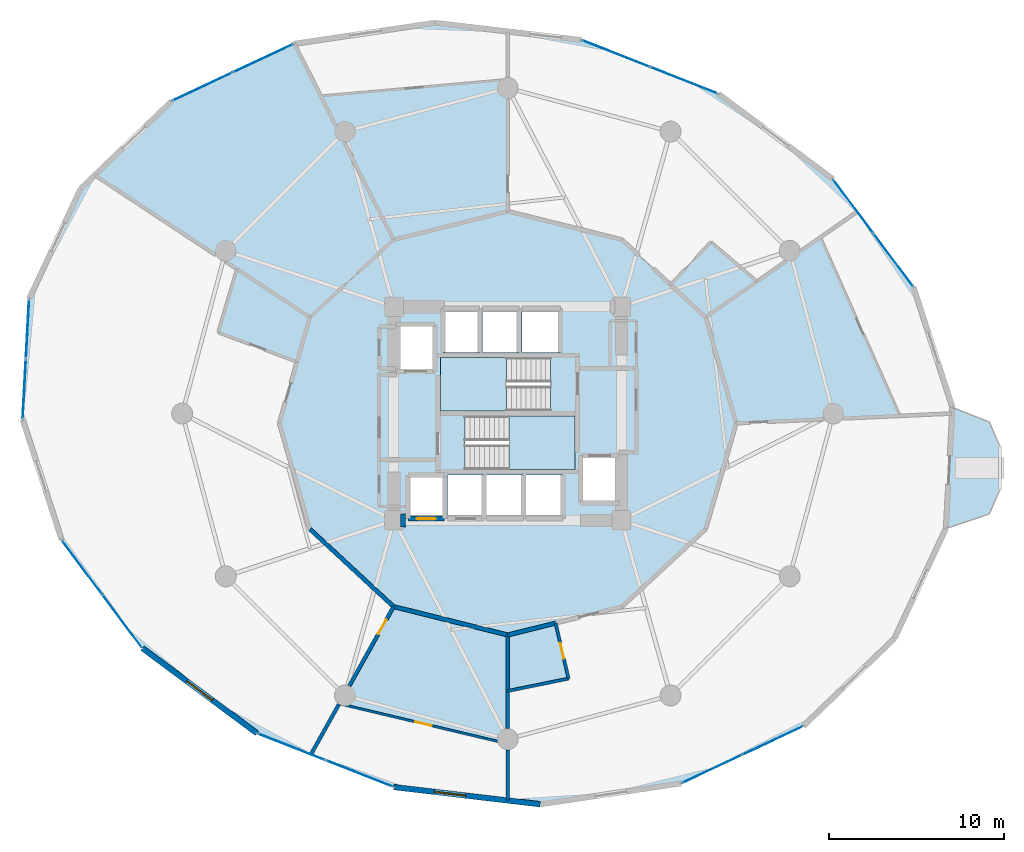
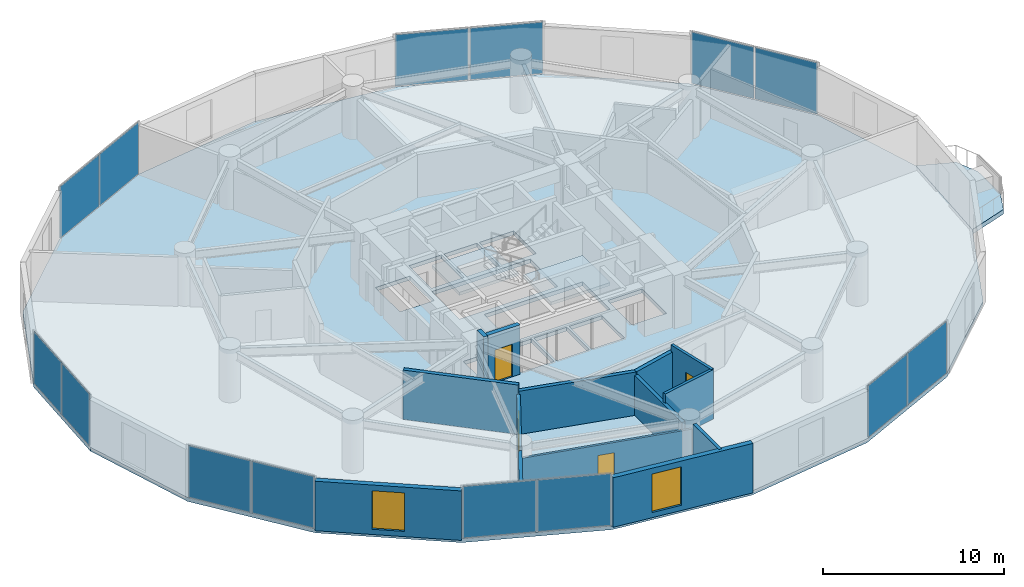
# One storey, part 19 of 25: 14 plates, 14 walls, 4 doors, 4 slabs, 2 windows, 6 openings, 9 elements without a shape of their own.
"""IFC4 building model written with IfcOpenShell, lengths in metres."""

from ifc_helpers import new_model, si_unit, direction, frame, frame_2d, origin, origin_2d, place, context, subcontext, project, spatial, polyline, rectangle, outline, extrude, source, transform, mapped, material, layer, layer_set, type_object, element, fill, aggregate, save


model = new_model("IFC4")

# Units and contexts
model_context = context("Model", 3, precision=1e-05, world=origin(), true_north=direction((0.0, 1.0)))
body_context = subcontext(model_context, "Body", "Model", "MODEL_VIEW")
ifc_project = project(units=[si_unit("LENGTHUNIT", "METRE"), si_unit("AREAUNIT", "SQUARE_METRE"), si_unit("VOLUMEUNIT", "CUBIC_METRE"), si_unit("PLANEANGLEUNIT", "RADIAN"), si_unit("MASSUNIT", "GRAM", prefix="KILO")], contexts=[model_context])

# Site, building, storey
site_placement = place(None, origin())
site = spatial("IfcSite", under=ifc_project, at=site_placement, CompositionType="ELEMENT")
building_placement = place(site_placement, origin())
building = spatial("IfcBuilding", under=site, at=building_placement, Name="Solvirekh Grand Hotel", CompositionType="ELEMENT")
storey_placement = place(building_placement, frame((0.0, 0.0, 57.199951171875)))
storey = spatial("IfcBuildingStorey", under=building, at=storey_placement, Name="L13", CompositionType="ELEMENT", Elevation=57.199951171875)

# Slab
ifc_material_1 = material(Name="Concrete C50/60", Category="concrete")
ifc_layer_1 = layer(ifc_material_1, 0.31005859375)
ifc_layer_set_1 = layer_set([ifc_layer_1], Name="Concrete C50/60")
slab_type_1 = type_object("IfcSlabType", Name="ExtHornSkyGarden_310", PredefinedType="FLOOR", material=ifc_layer_set_1)
slab_1_placement = place(storey_placement, frame((0.0, 0.0, -0.31005859375)))
element("IfcSlab", 1, at=slab_1_placement, inside=storey, type_object=slab_type_1, Name="L13 east horn sky-garden deck", PredefinedType="FLOOR", context=body_context, shape_type="SweptSolid", body=[
    extrude(outline(polyline([(25.410888671875, 0.346923828125), (25.0390625, -6.568115234375), (27.510986328125, -5.738037109375), (28.111083984375, -4.35498046875), (28.111083984375, -1.865966796875), (27.510986328125, -0.48291015625), (25.410888671875, 0.346923828125)])), origin(), (0.0, 0.0, 1.0), 0.31005859375),
])

# Stair, slab
ifc_material_2 = material(Name="Concrete C40/50", Category="concrete")
stair_type = type_object("IfcStairType", Name="Stair_Core_1450", PredefinedType="HALF_TURN_STAIR", material=ifc_material_2)
stair_1_placement = place(storey_placement, origin())
stair_1 = element("IfcStair", 2, at=stair_1_placement, inside=storey, type_object=stair_type, Name="L13 Enclosed exit stair ST-1", PredefinedType="HALF_TURN_STAIR")
ifc_layer_2 = layer(ifc_material_2, 0.199951171875)
ifc_layer_set_2 = layer_set([ifc_layer_2], Name="Concrete C40/50")
slab_type_2 = type_object("IfcSlabType", Name="Landing_Stair_200", PredefinedType="LANDING", material=ifc_layer_set_2)
slab_2_placement = place(storey_placement, frame((0.0, 0.0, 1.60009765625)))
slab_2 = element("IfcSlab", 3, at=slab_2_placement, type_object=slab_type_2, Name="ST-1 landing 1", PredefinedType="LANDING", context=body_context, shape_type="SweptSolid", body=[
    extrude(outline(polyline([(0.070068359375, -3.199951171875), (3.85009765625, -3.199951171875), (3.85009765625, -0.14990234375), (0.070068359375, -0.14990234375), (0.070068359375, -3.199951171875)])), origin(), (0.0, 0.0, 1.0), 0.199951171875),
])
aggregate(stair_1, [slab_2])

stair_2_placement = place(storey_placement, origin())
stair_2 = element("IfcStair", 4, at=stair_2_placement, inside=storey, type_object=stair_type, Name="L13 Enclosed exit stair ST-2", PredefinedType="HALF_TURN_STAIR")
slab_3_placement = place(storey_placement, frame((0.0, 0.0, 1.60009765625)))
slab_3 = element("IfcSlab", 5, at=slab_3_placement, type_object=slab_type_2, Name="ST-2 landing 1", PredefinedType="LANDING", context=body_context, shape_type="SweptSolid", body=[
    extrude(outline(polyline([(-0.070068359375, 3.199951171875), (-3.85009765625, 3.199951171875), (-3.85009765625, 0.14990234375), (-0.070068359375, 0.14990234375), (-0.070068359375, 3.199951171875)])), origin(), (0.0, 0.0, 1.0), 0.199951171875),
])
aggregate(stair_2, [slab_3])

# Slab
ifc_layer_3 = layer(ifc_material_1, 0.260009765625)
ifc_layer_set_3 = layer_set([ifc_layer_3], Name="Concrete C50/60")
slab_type_3 = type_object("IfcSlabType", Name="Slab_GuestZ1_260", PredefinedType="FLOOR", material=ifc_layer_set_3)
slab_4_placement = place(storey_placement, frame((0.0, 0.0, -0.260009765625)))
element("IfcSlab", 6, at=slab_4_placement, inside=storey, type_object=slab_type_3, Name="L13 structural floor slab", PredefinedType="FLOOR", context=body_context, shape_type="SweptSolid", body=[
    extrude(outline(polyline([(25.0390625, -6.568115234375), (25.410888671875, 0.346923828125), (23.18310546875, 7.22900390625), (18.572998046875, 13.403076171875), (12.032958984375, 18.264892578125), (4.201904296875, 21.339111328125), (-4.153076171875, 22.323974609375), (-12.212890625, 21.125), (-19.19091796875, 17.85693359375), (-24.403076171875, 12.841064453125), (-27.339111328125, 6.568115234375), (-27.7109375, -0.346923828125), (-25.48291015625, -7.22900390625), (-20.873046875, -13.403076171875), (-14.3330078125, -18.264892578125), (-6.501953125, -21.339111328125), (1.85302734375, -22.323974609375), (9.9130859375, -21.125), (16.89111328125, -17.85693359375), (22.10302734375, -12.841064453125), (25.0390625, -6.568115234375)]), holes=[polyline([(-2.444091796875, -0.14990234375), (3.85009765625, -0.14990234375), (3.85009765625, -3.199951171875), (-2.444091796875, -3.199951171875), (-2.444091796875, -0.14990234375)]), polyline([(2.444091796875, 0.14990234375), (-3.85009765625, 0.14990234375), (-3.85009765625, 3.199951171875), (2.444091796875, 3.199951171875), (2.444091796875, 0.14990234375)]), polyline([(-5.699951171875, -3.5), (-3.60009765625, -3.5), (-3.60009765625, -6.0), (-5.699951171875, -6.0), (-5.699951171875, -3.5)]), polyline([(-3.449951171875, -3.5), (-1.35009765625, -3.5), (-1.35009765625, -6.0), (-3.449951171875, -6.0), (-3.449951171875, -3.5)]), polyline([(-1.199951171875, -3.5), (0.89990234375, -3.5), (0.89990234375, -6.0), (-1.199951171875, -6.0), (-1.199951171875, -3.5)]), polyline([(1.050048828125, -3.5), (3.14990234375, -3.5), (3.14990234375, -6.0), (1.050048828125, -6.0), (1.050048828125, -3.5)]), polyline([(-3.699951171875, 6.0), (-1.60009765625, 6.0), (-1.60009765625, 3.5), (-3.699951171875, 3.5), (-3.699951171875, 6.0)]), polyline([(-1.449951171875, 6.0), (0.64990234375, 6.0), (0.64990234375, 3.5), (-1.449951171875, 3.5), (-1.449951171875, 6.0)]), polyline([(0.800048828125, 6.0), (3.0, 6.0), (3.0, 3.5), (0.800048828125, 3.5), (0.800048828125, 6.0)]), polyline([(-6.35009765625, 5.10009765625), (-4.14990234375, 5.10009765625), (-4.14990234375, 2.39990234375), (-6.35009765625, 2.39990234375), (-6.35009765625, 5.10009765625)]), polyline([(4.14990234375, -2.39990234375), (6.35009765625, -2.39990234375), (6.35009765625, -5.10009765625), (4.14990234375, -5.10009765625), (4.14990234375, -2.39990234375)])]), origin(), (0.0, 0.0, 1.0), 0.260009765625),
])

# Curtain wall, plates
ifc_material_3 = material(Name="Anodized Bronze Aluminium 6063-T6", Category="aluminium")
ifc_layer_4 = layer(ifc_material_3, 0.18994140625)
ifc_layer_set_4 = layer_set([ifc_layer_4], Name="Anodized Bronze Aluminium 6063-T6")
curtain_wall_type = type_object("IfcCurtainWallType", Name="CW_Sys2_LowZoneFlushBronzeCW", PredefinedType="NOTDEFINED", material=ifc_layer_set_4)
curtain_wall_1_placement = place(storey_placement, origin())
curtain_wall_1 = element("IfcCurtainWall", 7, at=curtain_wall_1_placement, inside=storey, type_object=curtain_wall_type, Name="L13 unitised bronze-glass curtain wall CW-L13-C11", PredefinedType="NOTDEFINED")
ifc_material_4 = material(Name="Low-E Tinted Bronze Laminated Glass", Category="aluminium")
ifc_layer_5 = layer(ifc_material_4, 0.0380859375)
ifc_layer_set_5 = layer_set([ifc_layer_5], Name="Low-E Tinted Bronze Laminated Glass")
plate_type = type_object("IfcPlateType", Name="CWPanel_Low_38", PredefinedType="CURTAIN_PANEL", material=ifc_layer_set_5)
shared_shape_1 = source(origin(), body_context, "Body", "SweptSolid", [
    extrude(rectangle(XDim=3.357421875, YDim=0.0380859375, at=origin_2d()), origin(), (0.0, 0.0, 1.0), 3.47998046875),
])
plate_1_placement = place(storey_placement, frame((-27.432861328125, 4.82177734375, 0.06005859375), z_axis=(0.0, 0.0, 1.0), x_axis=(-0.053718420521, -0.998556123258, 0.0)))
plate_1 = element("IfcPlate", 8, at=plate_1_placement, type_object=plate_type, Name="U02 panel 1.1", PredefinedType="CURTAIN_PANEL", context=body_context, shape_type="MappedRepresentation", body=[
    mapped(shared_shape_1, transform((0.0, 0.0, 0.0), x_axis=(1.0, 0.0, 0.0), y_axis=(0.0, 1.0, 0.0), z_axis=(0.0, 0.0, 1.0), scale=1.0)),
])
plate_2_placement = place(storey_placement, frame((-27.616943359375, 1.399169921875, 0.06005859375), z_axis=(0.0, 0.0, 1.0), x_axis=(-0.053718420521, -0.998556123258, 0.0)))
plate_2 = element("IfcPlate", 9, at=plate_2_placement, type_object=plate_type, Name="U02 panel 2.1", PredefinedType="CURTAIN_PANEL", context=body_context, shape_type="MappedRepresentation", body=[
    mapped(shared_shape_1, transform((0.0, 0.0, 0.0), x_axis=(1.0, 0.0, 0.0), y_axis=(0.0, 1.0, 0.0), z_axis=(0.0, 0.0, 1.0), scale=1.0)),
])
aggregate(curtain_wall_1, [plate_1, plate_2])

curtain_wall_2_placement = place(storey_placement, origin())
curtain_wall_2 = element("IfcCurtainWall", 10, at=curtain_wall_2_placement, inside=storey, type_object=curtain_wall_type, Name="L13 unitised bronze-glass curtain wall CW-L13-C03", PredefinedType="NOTDEFINED")
shared_shape_2 = source(origin(), body_context, "Body", "SweptSolid", [
    extrude(rectangle(XDim=3.74755859375, YDim=0.0380859375, at=origin_2d()), origin(), (0.0, 0.0, 1.0), 3.47998046875),
])
plate_3_placement = place(storey_placement, frame((22.02001953125, 8.78662109375, 0.06005859375), z_axis=(0.0, 0.0, 1.0), x_axis=(-0.598295898601, 0.801275244667, 0.0)))
plate_3 = element("IfcPlate", 11, at=plate_3_placement, type_object=plate_type, Name="U02 panel 1.1", PredefinedType="CURTAIN_PANEL", context=body_context, shape_type="MappedRepresentation", body=[
    mapped(shared_shape_2, transform((0.0, 0.0, 0.0), x_axis=(1.0, 0.0, 0.0), y_axis=(0.0, 1.0, 0.0), z_axis=(0.0, 0.0, 1.0), scale=1.0)),
])
plate_4_placement = place(storey_placement, frame((19.736083984375, 11.845458984375, 0.06005859375), z_axis=(0.0, 0.0, 1.0), x_axis=(-0.598295898601, 0.801275244667, 0.0)))
plate_4 = element("IfcPlate", 12, at=plate_4_placement, type_object=plate_type, Name="U02 panel 2.1", PredefinedType="CURTAIN_PANEL", context=body_context, shape_type="MappedRepresentation", body=[
    mapped(shared_shape_2, transform((0.0, 0.0, 0.0), x_axis=(1.0, 0.0, 0.0), y_axis=(0.0, 1.0, 0.0), z_axis=(0.0, 0.0, 1.0), scale=1.0)),
])
aggregate(curtain_wall_2, [plate_3, plate_4])

curtain_wall_3_placement = place(storey_placement, origin())
curtain_wall_3 = element("IfcCurtainWall", 13, at=curtain_wall_3_placement, inside=storey, type_object=curtain_wall_type, Name="L13 unitised bronze-glass curtain wall CW-L13-C08", PredefinedType="NOTDEFINED")
plate_5_placement = place(storey_placement, frame((-13.973388671875, 20.300537109375, 0.06005859375), z_axis=(0.0, 0.0, 1.0), x_axis=(-0.905605391149, -0.424121298124, 0.0)))
plate_5 = element("IfcPlate", 14, at=plate_5_placement, type_object=plate_type, Name="U02 panel 1.1", PredefinedType="CURTAIN_PANEL", context=body_context, shape_type="MappedRepresentation", body=[
    mapped(shared_shape_2, transform((0.0, 0.0, 0.0), x_axis=(1.0, 0.0, 0.0), y_axis=(0.0, 1.0, 0.0), z_axis=(0.0, 0.0, 1.0), scale=1.0)),
])
plate_6_placement = place(storey_placement, frame((-17.4306640625, 18.681396484375, 0.06005859375), z_axis=(0.0, 0.0, 1.0), x_axis=(-0.905605391149, -0.424121298124, 0.0)))
plate_6 = element("IfcPlate", 15, at=plate_6_placement, type_object=plate_type, Name="U02 panel 2.1", PredefinedType="CURTAIN_PANEL", context=body_context, shape_type="MappedRepresentation", body=[
    mapped(shared_shape_2, transform((0.0, 0.0, 0.0), x_axis=(1.0, 0.0, 0.0), y_axis=(0.0, 1.0, 0.0), z_axis=(0.0, 0.0, 1.0), scale=1.0)),
])
aggregate(curtain_wall_3, [plate_5, plate_6])

curtain_wall_4_placement = place(storey_placement, origin())
curtain_wall_4 = element("IfcCurtainWall", 16, at=curtain_wall_4_placement, inside=storey, type_object=curtain_wall_type, Name="L13 unitised bronze-glass curtain wall CW-L13-C13", PredefinedType="NOTDEFINED")
plate_7_placement = place(storey_placement, frame((-24.320068359375, -8.78662109375, 0.06005859375), z_axis=(0.0, 0.0, 1.0), x_axis=(0.598295898601, -0.801275244667, 0.0)))
plate_7 = element("IfcPlate", 17, at=plate_7_placement, type_object=plate_type, Name="U02 panel 1.1", PredefinedType="CURTAIN_PANEL", context=body_context, shape_type="MappedRepresentation", body=[
    mapped(shared_shape_2, transform((0.0, 0.0, 0.0), x_axis=(1.0, 0.0, 0.0), y_axis=(0.0, 1.0, 0.0), z_axis=(0.0, 0.0, 1.0), scale=1.0)),
])
plate_8_placement = place(storey_placement, frame((-22.035888671875, -11.845458984375, 0.06005859375), z_axis=(0.0, 0.0, 1.0), x_axis=(0.598295898601, -0.801275244667, 0.0)))
plate_8 = element("IfcPlate", 18, at=plate_8_placement, type_object=plate_type, Name="U02 panel 2.1", PredefinedType="CURTAIN_PANEL", context=body_context, shape_type="MappedRepresentation", body=[
    mapped(shared_shape_2, transform((0.0, 0.0, 0.0), x_axis=(1.0, 0.0, 0.0), y_axis=(0.0, 1.0, 0.0), z_axis=(0.0, 0.0, 1.0), scale=1.0)),
])
aggregate(curtain_wall_4, [plate_7, plate_8])

curtain_wall_5_placement = place(storey_placement, origin())
curtain_wall_5 = element("IfcCurtainWall", 19, at=curtain_wall_5_placement, inside=storey, type_object=curtain_wall_type, Name="L13 unitised bronze-glass curtain wall CW-L13-C18", PredefinedType="NOTDEFINED")
plate_9_placement = place(storey_placement, frame((11.67333984375, -20.300537109375, 0.06005859375), z_axis=(0.0, 0.0, 1.0), x_axis=(0.905605391149, 0.424121298124, 0.0)))
plate_9 = element("IfcPlate", 20, at=plate_9_placement, type_object=plate_type, Name="U02 panel 1.1", PredefinedType="CURTAIN_PANEL", context=body_context, shape_type="MappedRepresentation", body=[
    mapped(shared_shape_2, transform((0.0, 0.0, 0.0), x_axis=(1.0, 0.0, 0.0), y_axis=(0.0, 1.0, 0.0), z_axis=(0.0, 0.0, 1.0), scale=1.0)),
])
plate_10_placement = place(storey_placement, frame((15.130615234375, -18.681396484375, 0.06005859375), z_axis=(0.0, 0.0, 1.0), x_axis=(0.905605391149, 0.424121298124, 0.0)))
plate_10 = element("IfcPlate", 21, at=plate_10_placement, type_object=plate_type, Name="U02 panel 2.1", PredefinedType="CURTAIN_PANEL", context=body_context, shape_type="MappedRepresentation", body=[
    mapped(shared_shape_2, transform((0.0, 0.0, 0.0), x_axis=(1.0, 0.0, 0.0), y_axis=(0.0, 1.0, 0.0), z_axis=(0.0, 0.0, 1.0), scale=1.0)),
])
aggregate(curtain_wall_5, [plate_9, plate_10])

curtain_wall_6_placement = place(storey_placement, origin())
curtain_wall_6 = element("IfcCurtainWall", 22, at=curtain_wall_6_placement, inside=storey, type_object=curtain_wall_type, Name="L13 unitised bronze-glass curtain wall CW-L13-C05", PredefinedType="NOTDEFINED")
shared_shape_3 = source(origin(), body_context, "Body", "SweptSolid", [
    extrude(rectangle(XDim=4.101318359375, YDim=0.0380859375, at=origin_2d()), origin(), (0.0, 0.0, 1.0), 3.47998046875),
])
plate_11_placement = place(storey_placement, frame((10.05908203125, 19.039794921875, 0.06005859375), z_axis=(0.0, 0.0, 1.0), x_axis=(-0.930851149906, 0.365398599776, 0.0)))
plate_11 = element("IfcPlate", 23, at=plate_11_placement, type_object=plate_type, Name="U02 panel 1.1", PredefinedType="CURTAIN_PANEL", context=body_context, shape_type="MappedRepresentation", body=[
    mapped(shared_shape_3, transform((0.0, 0.0, 0.0), x_axis=(1.0, 0.0, 0.0), y_axis=(0.0, 1.0, 0.0), z_axis=(0.0, 0.0, 1.0), scale=1.0)),
])
plate_12_placement = place(storey_placement, frame((6.176025390625, 20.564208984375, 0.06005859375), z_axis=(0.0, 0.0, 1.0), x_axis=(-0.930851149906, 0.365398599776, 0.0)))
plate_12 = element("IfcPlate", 24, at=plate_12_placement, type_object=plate_type, Name="U02 panel 2.1", PredefinedType="CURTAIN_PANEL", context=body_context, shape_type="MappedRepresentation", body=[
    mapped(shared_shape_3, transform((0.0, 0.0, 0.0), x_axis=(1.0, 0.0, 0.0), y_axis=(0.0, 1.0, 0.0), z_axis=(0.0, 0.0, 1.0), scale=1.0)),
])
aggregate(curtain_wall_6, [plate_11, plate_12])

curtain_wall_7_placement = place(storey_placement, origin())
curtain_wall_7 = element("IfcCurtainWall", 25, at=curtain_wall_7_placement, inside=storey, type_object=curtain_wall_type, Name="L13 unitised bronze-glass curtain wall CW-L13-C15", PredefinedType="NOTDEFINED")
plate_13_placement = place(storey_placement, frame((-12.35888671875, -19.039794921875, 0.06005859375), z_axis=(0.0, 0.0, 1.0), x_axis=(0.930851149906, -0.365398599776, 0.0)))
plate_13 = element("IfcPlate", 26, at=plate_13_placement, type_object=plate_type, Name="U02 panel 1.1", PredefinedType="CURTAIN_PANEL", context=body_context, shape_type="MappedRepresentation", body=[
    mapped(shared_shape_3, transform((0.0, 0.0, 0.0), x_axis=(1.0, 0.0, 0.0), y_axis=(0.0, 1.0, 0.0), z_axis=(0.0, 0.0, 1.0), scale=1.0)),
])
plate_14_placement = place(storey_placement, frame((-8.47607421875, -20.564208984375, 0.06005859375), z_axis=(0.0, 0.0, 1.0), x_axis=(0.930851149906, -0.365398599776, 0.0)))
plate_14 = element("IfcPlate", 27, at=plate_14_placement, type_object=plate_type, Name="U02 panel 2.1", PredefinedType="CURTAIN_PANEL", context=body_context, shape_type="MappedRepresentation", body=[
    mapped(shared_shape_3, transform((0.0, 0.0, 0.0), x_axis=(1.0, 0.0, 0.0), y_axis=(0.0, 1.0, 0.0), z_axis=(0.0, 0.0, 1.0), scale=1.0)),
])
aggregate(curtain_wall_7, [plate_13, plate_14])

# Wall, opening, door
ifc_layer_6 = layer(ifc_material_2, 0.280029296875)
ifc_layer_set_6 = layer_set([ifc_layer_6], Name="Concrete C40/50")
wall_type_1 = type_object("IfcWallType", Name="CoreShaftWall_RC280", PredefinedType="SOLIDWALL", material=ifc_layer_set_6)
wall_1_placement = place(storey_placement, frame((-5.699951171875, -6.0, 0.0), z_axis=(0.0, 0.0, 1.0), x_axis=(1.0, 0.0, 0.0)))
wall_1 = element("IfcWall", 28, at=wall_1_placement, inside=storey, type_object=wall_type_1, Name="L13 LP-1 hoistway S wall", PredefinedType="SOLIDWALL", context=body_context, shape_type="SweptSolid", body=[
    extrude(rectangle(XDim=2.099853515625, YDim=0.280029296875, at=frame_2d((1.0498046875, 0.0))), origin(), (0.0, 0.0, 1.0), 3.340087890625),
])
opening_1_placement = place(wall_1_placement, frame((0.5, 0.0, 0.0)))
opening_1 = element("IfcOpeningElement", 29, at=opening_1_placement, cuts=wall_1, Name="Opening LD01", PredefinedType="OPENING", context=body_context, shape_type="SweptSolid", body=[
    extrude(rectangle(XDim=1.10009765625, YDim=2.199951171875, at=frame_2d((0.550048828125, 1.10009765625))), frame((0.0, 0.14990234375, 0.0), z_axis=(0.0, -1.0, 0.0), x_axis=(1.0, 0.0, 0.0)), (0.0, 0.0, 1.0), 0.300048828125),
])
ifc_material_5 = material(Name="Fire-Rated Steel Door Assembly", Category="steel")
door_type_1 = type_object("IfcDoorType", Name="Door_LiftLanding_1100X2200", OperationType="SLIDING_TO_LEFT", PredefinedType="DOOR", material=ifc_material_5)
door_1_placement = place(opening_1_placement, origin())
door_1 = element("IfcDoor", 30, at=door_1_placement, inside=storey, type_object=door_type_1, Name="L13 LP-1 sliding lift landing door", OperationType="SLIDING_TO_LEFT", OverallHeight=2.199951171875, OverallWidth=1.10009765625, PredefinedType="DOOR", context=body_context, shape_type="SweptSolid", body=[
    extrude(rectangle(XDim=1.10009765625, YDim=2.199951171875, at=frame_2d((0.550048828125, 1.10009765625))), frame((0.0, 0.02490234375, 0.0), z_axis=(0.0, -1.0, 0.0), x_axis=(1.0, 0.0, 0.0)), (0.0, 0.0, 1.0), 0.050048828125),
])
fill(opening_1, door_1)

# Wall
ifc_material_6 = material(Name="Concrete C60/75", Category="concrete")
ifc_layer_7 = layer(ifc_material_6, 0.75)
ifc_layer_set_7 = layer_set([ifc_layer_7], Name="Concrete C60/75")
wall_type_2 = type_object("IfcWallType", Name="CoreWall_RC750", PredefinedType="SHEAR", material=ifc_layer_set_7)
wall_2_placement = place(storey_placement, frame((-6.125, -6.10009765625, 0.0), z_axis=(0.0, 0.0, 1.0), x_axis=(1.0, 0.0, 0.0)))
element("IfcWall", 31, at=wall_2_placement, inside=storey, type_object=wall_type_2, Name="L13 core corner shear wall SW-S", PredefinedType="SHEAR", context=body_context, shape_type="SweptSolid", body=[
    extrude(rectangle(XDim=0.27490234375, YDim=0.75, at=frame_2d((0.137451171875, 0.0))), origin(), (0.0, 0.0, 1.0), 3.60009765625),
])

# Wall, opening, window
ifc_material_7 = material(Name="Precast concrete C45/55", Category="concrete")
ifc_layer_8 = layer(ifc_material_7, 0.320068359375)
ifc_layer_set_8 = layer_set([ifc_layer_8], Name="Precast concrete C45/55")
wall_type_3 = type_object("IfcWallType", Name="ExtLobbyWall_RC320", PredefinedType="SOLIDWALL", material=ifc_layer_set_8)
wall_3_placement = place(storey_placement, frame((-14.3330078125, -18.264892578125, 0.0), z_axis=(0.0, 0.0, 1.0), x_axis=(-0.802538106816, 0.596600860801, 0.0)))
wall_3 = element("IfcWall", 32, at=wall_3_placement, inside=storey, type_object=wall_type_3, Name="L13 exterior structural wall chord 14", PredefinedType="SOLIDWALL", context=body_context, shape_type="SweptSolid", body=[
    extrude(rectangle(XDim=8.149169921875, YDim=0.320068359375, at=frame_2d((4.07470703125, 0.0))), origin(), (0.0, 0.0, 1.0), 3.340087890625),
])
opening_2_placement = place(wall_3_placement, frame((3.175048828125, 0.0, 0.35009765625)))
opening_2 = element("IfcOpeningElement", 33, at=opening_2_placement, cuts=wall_3, Name="Opening W02", PredefinedType="OPENING", context=body_context, shape_type="SweptSolid", body=[
    extrude(rectangle(XDim=1.800048828125, YDim=2.60009765625, at=frame_2d((0.89990234375, 1.300048828125))), frame((0.0, 0.169921875, 0.0), z_axis=(0.0, -1.0, 0.0), x_axis=(1.0, 0.0, 0.0)), (0.0, 0.0, 1.0), 0.340087890625),
])
window_type = type_object("IfcWindowType", Name="Win_LobbyExt_1800X2600", PartitioningType="SINGLE_PANEL", PredefinedType="WINDOW", material=ifc_material_4)
window_1_placement = place(opening_2_placement, origin())
window_1 = element("IfcWindow", 34, at=window_1_placement, inside=storey, type_object=window_type, Name="L13 panoramic bronze-framed window 14", OverallHeight=2.60009765625, OverallWidth=1.800048828125, PartitioningType="SINGLE_PANEL", PredefinedType="WINDOW", context=body_context, shape_type="SweptSolid", body=[
    extrude(rectangle(XDim=1.800048828125, YDim=2.60009765625, at=frame_2d((0.89990234375, 1.300048828125))), frame((0.0, 0.030029296875, 0.0), z_axis=(0.0, -1.0, 0.0), x_axis=(1.0, 0.0, 0.0)), (0.0, 0.0, 1.0), 0.06005859375),
])
fill(opening_2, window_1)

wall_4_placement = place(storey_placement, frame((1.85302734375, -22.323974609375, 0.0), z_axis=(0.0, 0.0, 1.0), x_axis=(-0.993124034761, 0.117066867986, 0.0)))
wall_4 = element("IfcWall", 35, at=wall_4_placement, inside=storey, type_object=wall_type_3, Name="L13 exterior structural wall chord 16", PredefinedType="SOLIDWALL", context=body_context, shape_type="SweptSolid", body=[
    extrude(rectangle(XDim=8.412841796875, YDim=0.320068359375, at=frame_2d((4.20654296875, 0.0))), origin(), (0.0, 0.0, 1.0), 3.340087890625),
])
opening_3_placement = place(wall_4_placement, frame((4.2919921875, 0.0, 0.35009765625)))
opening_3 = element("IfcOpeningElement", 36, at=opening_3_placement, cuts=wall_4, Name="Opening W02", PredefinedType="OPENING", context=body_context, shape_type="SweptSolid", body=[
    extrude(rectangle(XDim=1.800048828125, YDim=2.60009765625, at=frame_2d((0.89990234375, 1.300048828125))), frame((0.0, 0.169921875, 0.0), z_axis=(0.0, -1.0, 0.0), x_axis=(1.0, 0.0, 0.0)), (0.0, 0.0, 1.0), 0.340087890625),
])
window_2_placement = place(opening_3_placement, origin())
window_2 = element("IfcWindow", 37, at=window_2_placement, inside=storey, type_object=window_type, Name="L13 panoramic bronze-framed window 16", OverallHeight=2.60009765625, OverallWidth=1.800048828125, PartitioningType="SINGLE_PANEL", PredefinedType="WINDOW", context=body_context, shape_type="SweptSolid", body=[
    extrude(rectangle(XDim=1.800048828125, YDim=2.60009765625, at=frame_2d((0.89990234375, 1.300048828125))), frame((0.0, 0.030029296875, 0.0), z_axis=(0.0, -1.0, 0.0), x_axis=(1.0, 0.0, 0.0)), (0.0, 0.0, 1.0), 0.06005859375),
])
fill(opening_3, window_2)

# Walls
ifc_material_8 = material(Name="Acoustic Gypsum Partition Assembly")
ifc_layer_9 = layer(ifc_material_8, 0.239990234375)
ifc_layer_set_9 = layer_set([ifc_layer_9], Name="Acoustic Gypsum Partition Assembly")
wall_type_4 = type_object("IfcWallType", Name="Part_Corridor_240", PredefinedType="PARTITIONING", material=ifc_layer_set_9)
wall_5_placement = place(storey_placement, frame((-11.302001953125, -6.60009765625, 0.0), z_axis=(0.0, 0.0, 1.0), x_axis=(0.733323191675, -0.679880207501, 0.0)))
element("IfcWall", 38, at=wall_5_placement, inside=storey, type_object=wall_type_4, Name="L13 Presidential Suite 1501 Living Room corridor wall 2", PredefinedType="PARTITIONING", context=body_context, shape_type="SweptSolid", body=[
    extrude(rectangle(XDim=6.514404296875, YDim=0.239990234375, at=frame_2d((3.25732421875, 0.0))), origin(), (0.0, 0.0, 1.0), 3.340087890625),
])
wall_6_placement = place(storey_placement, frame((-6.52490234375, -11.029052734375, 0.0), z_axis=(0.0, 0.0, 1.0), x_axis=(0.970504544001, -0.241082828243, 0.0)))
element("IfcWall", 39, at=wall_6_placement, inside=storey, type_object=wall_type_4, Name="L13 Presidential Suite 1501 Suite Foyer corridor enclosure wall", PredefinedType="PARTITIONING", context=body_context, shape_type="SweptSolid", body=[
    extrude(rectangle(XDim=6.72314453125, YDim=0.239990234375, at=frame_2d((3.361572265625, 0.0))), origin(), (0.0, 0.0, 1.0), 2.9189453125),
])
wall_7_placement = place(storey_placement, frame((0.0, -12.64990234375, 0.0), z_axis=(0.0, 0.0, 1.0), x_axis=(0.970482346271, 0.241172169986, 0.0)))
element("IfcWall", 40, at=wall_7_placement, inside=storey, type_object=wall_type_4, Name="L13 En-suite Bathroom 1502 corridor backing wall", PredefinedType="PARTITIONING", context=body_context, shape_type="SweptSolid", body=[
    extrude(rectangle(XDim=2.8232421875, YDim=0.239990234375, at=frame_2d((1.41162109375, 0.0))), origin(), (0.0, 0.0, 1.0), 2.9189453125),
])

# Wall, opening, door
ifc_layer_10 = layer(ifc_material_8, 0.135009765625)
ifc_layer_set_10 = layer_set([ifc_layer_10], Name="Acoustic Gypsum Partition Assembly")
wall_type_5 = type_object("IfcWallType", Name="Part_RoomInt_135", PredefinedType="PARTITIONING", material=ifc_layer_set_10)
wall_8_placement = place(storey_placement, frame((-9.626953125, -16.58203125, 0.0), z_axis=(0.0, 0.0, 1.0), x_axis=(0.973014715796, -0.230743066733, 0.0)))
wall_8 = element("IfcWall", 41, at=wall_8_placement, inside=storey, type_object=wall_type_5, Name="L13 Presidential Suite 1501 Suite Foyer bedroom screen wall", PredefinedType="PARTITIONING", context=body_context, shape_type="SweptSolid", body=[
    extrude(rectangle(XDim=9.89404296875, YDim=0.135009765625, at=frame_2d((4.947021484375, 0.0))), origin(), (0.0, 0.0, 1.0), 2.7919921875),
])
opening_4_placement = place(wall_8_placement, frame((4.471923828125, 0.0, 0.0)))
opening_4 = element("IfcOpeningElement", 42, at=opening_4_placement, cuts=wall_8, Name="Opening D10", PredefinedType="OPENING", context=body_context, shape_type="SweptSolid", body=[
    extrude(rectangle(XDim=0.949951171875, YDim=2.10009765625, at=frame_2d((0.47509765625, 1.050048828125))), frame((0.0, 0.07763671875, 0.0), z_axis=(0.0, -1.0, 0.0), x_axis=(1.0, 0.0, 0.0)), (0.0, 0.0, 1.0), 0.155029296875),
])
door_type_2 = type_object("IfcDoorType", Name="Door_RoomInt_950X2100", OperationType="NOTDEFINED", PredefinedType="DOOR", material=ifc_material_3)
door_2_placement = place(opening_4_placement, origin())
door_2 = element("IfcDoor", 43, at=door_2_placement, inside=storey, type_object=door_type_2, Name="L13 Presidential Suite 1501 Suite Foyer master bedroom door", OperationType="SINGLE_SWING_RIGHT", OverallHeight=2.10009765625, OverallWidth=0.949951171875, PredefinedType="DOOR", context=body_context, shape_type="SweptSolid", body=[
    extrude(rectangle(XDim=0.949951171875, YDim=2.10009765625, at=frame_2d((0.47509765625, 1.050048828125))), frame((0.0, 0.02490234375, 0.0), z_axis=(0.0, -1.0, 0.0), x_axis=(1.0, 0.0, 0.0)), (0.0, 0.0, 1.0), 0.050048828125),
])
fill(opening_4, door_2)

ifc_layer_11 = layer(ifc_material_8, 0.2099609375)
ifc_layer_set_11 = layer_set([ifc_layer_11], Name="Acoustic Gypsum Partition Assembly")
wall_type_6 = type_object("IfcWallType", Name="Part_SuiteDemise_210", PredefinedType="PARTITIONING", material=ifc_layer_set_11)
wall_9_placement = place(storey_placement, frame((-6.52490234375, -11.029052734375, 0.0), z_axis=(0.0, 0.0, 1.0), x_axis=(-0.487682685555, -0.873020960922, 0.0)))
wall_9 = element("IfcWall", 44, at=wall_9_placement, inside=storey, type_object=wall_type_6, Name="L13 suite radial wall 9 (A)", PredefinedType="PARTITIONING", context=body_context, shape_type="SweptSolid", body=[
    extrude(rectangle(XDim=5.16943359375, YDim=0.2099609375, at=frame_2d((2.584716796875, 0.0))), origin(), (0.0, 0.0, 1.0), 2.70703125),
])
opening_5_placement = place(wall_9_placement, frame((0.843994140625, 0.0, 0.0)))
opening_5 = element("IfcOpeningElement", 45, at=opening_5_placement, cuts=wall_9, Name="Opening D10", PredefinedType="OPENING", context=body_context, shape_type="SweptSolid", body=[
    extrude(rectangle(XDim=0.949951171875, YDim=2.10009765625, at=frame_2d((0.47509765625, 1.050048828125))), frame((0.0, 0.114990234375, 0.0), z_axis=(0.0, -1.0, 0.0), x_axis=(1.0, 0.0, 0.0)), (0.0, 0.0, 1.0), 0.22998046875),
])
door_3_placement = place(opening_5_placement, origin())
door_3 = element("IfcDoor", 46, at=door_3_placement, inside=storey, type_object=door_type_2, Name="L13 Presidential Suite 1501 Suite Foyer suite connecting door", OperationType="SINGLE_SWING_LEFT", OverallHeight=2.10009765625, OverallWidth=0.949951171875, PredefinedType="DOOR", context=body_context, shape_type="SweptSolid", body=[
    extrude(rectangle(XDim=0.949951171875, YDim=2.10009765625, at=frame_2d((0.47509765625, 1.050048828125))), frame((0.0, 0.02490234375, 0.0), z_axis=(0.0, -1.0, 0.0), x_axis=(1.0, 0.0, 0.0)), (0.0, 0.0, 1.0), 0.050048828125),
])
fill(opening_5, door_3)

# Walls
wall_10_placement = place(storey_placement, frame((-9.64892578125, -16.62109375, 0.0), z_axis=(0.0, 0.0, 1.0), x_axis=(-0.487784102601, -0.872964300101, 0.0)))
element("IfcWall", 47, at=wall_10_placement, inside=storey, type_object=wall_type_6, Name="L13 suite radial wall 9 (B)", PredefinedType="PARTITIONING", context=body_context, shape_type="SweptSolid", body=[
    extrude(rectangle(XDim=3.231201171875, YDim=0.2099609375, at=frame_2d((1.61572265625, 0.0))), origin(), (0.0, 0.0, 1.0), 3.340087890625),
])
wall_11_placement = place(storey_placement, frame((0.0, -12.64990234375, 0.0), z_axis=(0.0, 0.0, 1.0), x_axis=(0.0, -1.0, 0.0)))
element("IfcWall", 48, at=wall_11_placement, inside=storey, type_object=wall_type_6, Name="L13 suite radial wall 10 (A)", PredefinedType="PARTITIONING", context=body_context, shape_type="SweptSolid", body=[
    extrude(rectangle(XDim=5.330078125, YDim=0.2099609375, at=frame_2d((2.6650390625, 0.0))), origin(), (0.0, 0.0, 1.0), 2.70703125),
])
wall_12_placement = place(storey_placement, frame((0.0, -19.219970703125, 0.0), z_axis=(0.0, 0.0, 1.0), x_axis=(0.0, -1.0, 0.0)))
element("IfcWall", 49, at=wall_12_placement, inside=storey, type_object=wall_type_6, Name="L13 suite radial wall 10 (B)", PredefinedType="PARTITIONING", context=body_context, shape_type="SweptSolid", body=[
    extrude(rectangle(XDim=2.845947265625, YDim=0.2099609375, at=frame_2d((1.4228515625, 0.0))), origin(), (0.0, 0.0, 1.0), 3.340087890625),
])
ifc_layer_12 = layer(ifc_material_8, 0.175048828125)
ifc_layer_set_12 = layer_set([ifc_layer_12], Name="Acoustic Gypsum Partition Assembly")
wall_type_7 = type_object("IfcWallType", Name="Plumb_Ensuite_175", PredefinedType="PLUMBINGWALL", material=ifc_layer_set_12)
wall_13_placement = place(storey_placement, frame((0.0, -15.85107421875, 0.0), z_axis=(0.0, 0.0, 1.0), x_axis=(0.979902948641, 0.199474838626, 0.0)))
element("IfcWall", 50, at=wall_13_placement, inside=storey, type_object=wall_type_7, Name="L13 En-suite Bathroom 1502 outer plumbing wall", PredefinedType="PLUMBINGWALL", context=body_context, shape_type="SweptSolid", body=[
    extrude(rectangle(XDim=3.54931640625, YDim=0.175048828125, at=frame_2d((1.774658203125, 0.0))), origin(), (0.0, 0.0, 1.0), 3.340087890625),
])

# Wall, opening, door
wall_14_placement = place(storey_placement, frame((2.739990234375, -11.968994140625, 0.0), z_axis=(0.0, 0.0, 1.0), x_axis=(0.226478783663, -0.974016098712, 0.0)))
wall_14 = element("IfcWall", 51, at=wall_14_placement, inside=storey, type_object=wall_type_7, Name="L13 En-suite Bathroom 1502 entry plumbing wall", PredefinedType="PLUMBINGWALL", context=body_context, shape_type="SweptSolid", body=[
    extrude(rectangle(XDim=3.2587890625, YDim=0.175048828125, at=frame_2d((1.62939453125, 0.0))), origin(), (0.0, 0.0, 1.0), 3.340087890625),
])
opening_6_placement = place(wall_14_placement, frame((1.178955078125, 0.0, 0.0)))
opening_6 = element("IfcOpeningElement", 52, at=opening_6_placement, cuts=wall_14, Name="Opening D09", PredefinedType="OPENING", context=body_context, shape_type="SweptSolid", body=[
    extrude(rectangle(XDim=0.89990234375, YDim=2.10009765625, at=frame_2d((0.449951171875, 1.050048828125))), frame((0.0, 0.09765625, 0.0), z_axis=(0.0, -1.0, 0.0), x_axis=(1.0, 0.0, 0.0)), (0.0, 0.0, 1.0), 0.195068359375),
])
door_type_3 = type_object("IfcDoorType", Name="Door_Ensuite_900X2100", OperationType="NOTDEFINED", PredefinedType="DOOR", material=ifc_material_3)
door_4_placement = place(opening_6_placement, origin())
door_4 = element("IfcDoor", 53, at=door_4_placement, inside=storey, type_object=door_type_3, Name="L13 En-suite Bathroom 1502 door", OperationType="SINGLE_SWING_LEFT", OverallHeight=2.10009765625, OverallWidth=0.89990234375, PredefinedType="DOOR", context=body_context, shape_type="SweptSolid", body=[
    extrude(rectangle(XDim=0.89990234375, YDim=2.10009765625, at=frame_2d((0.449951171875, 1.050048828125))), frame((0.0, 0.02490234375, 0.0), z_axis=(0.0, -1.0, 0.0), x_axis=(1.0, 0.0, 0.0)), (0.0, 0.0, 1.0), 0.050048828125),
])
fill(opening_6, door_4)

save(model, "model.ifc")
